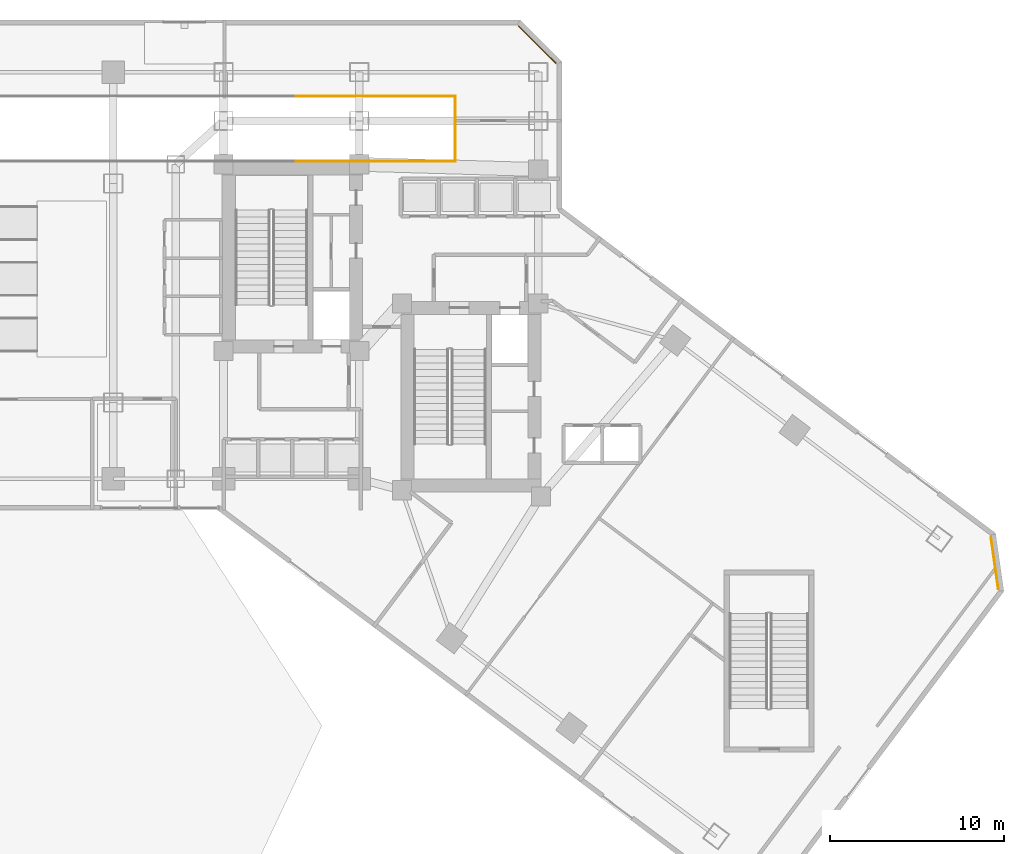
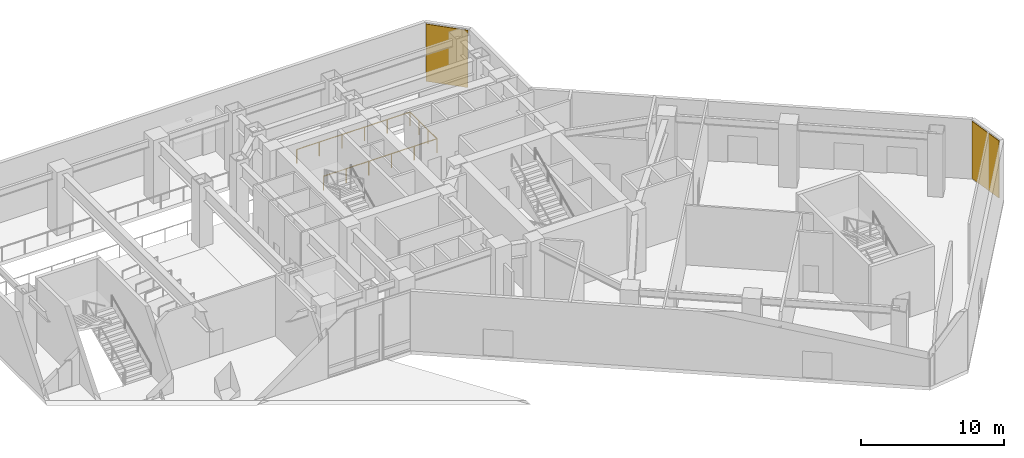
# One storey, part 12 of 13: 13 railings, 2 coverings.
"""IFC4 building model written with IfcOpenShell, lengths in metres."""

from ifc_helpers import new_model, si_unit, direction, frame, origin, origin_2d, place, context, subcontext, project, spatial, rectangle, circle, extrude, material, layer, layer_set, type_object, element, save


model = new_model("IFC4")

# Units and contexts
model_context = context("Model", 3, precision=1e-05, world=origin(), true_north=direction((0.0, 1.0)))
body_context = subcontext(model_context, "Body", "Model", "MODEL_VIEW")
ifc_project = project(units=[si_unit("LENGTHUNIT", "METRE"), si_unit("AREAUNIT", "SQUARE_METRE"), si_unit("VOLUMEUNIT", "CUBIC_METRE"), si_unit("PLANEANGLEUNIT", "RADIAN"), si_unit("MASSUNIT", "GRAM", prefix="KILO")], contexts=[model_context])

# Site, building, storey
site_placement = place(None, origin())
site = spatial("IfcSite", under=ifc_project, at=site_placement, CompositionType="ELEMENT")
building_placement = place(site_placement, origin())
building = spatial("IfcBuilding", under=site, at=building_placement, Name="Hatsunagi Terrace Concourse", CompositionType="ELEMENT")
storey_placement = place(building_placement, origin())
storey = spatial("IfcBuildingStorey", under=building, at=storey_placement, Name="L01", CompositionType="ELEMENT", Elevation=0.0)

# Railings
ifc_material_1 = material(Name="Stainless Steel SUS316 Post-and-Rail Guard", Category="steel")
ifc_layer_1 = layer(ifc_material_1, 0.080078125)
ifc_layer_set_1 = layer_set([ifc_layer_1], Name="TerracePlantedGuardRail_1200")
railing_type = type_object("IfcRailingType", Name="TerracePlantedGuardRail_1200", PredefinedType="GUARDRAIL", material=ifc_layer_set_1)
railing_1_placement = place(storey_placement, frame((29.72705078125, 43.469970703125, 0.0)))
element("IfcRailing", 1, at=railing_1_placement, inside=storey, type_object=railing_type, Name="L01 Car Park Ramp Well Guardrail GRD-02 #17", PredefinedType="GUARDRAIL", context=body_context, shape_type="SweptSolid", body=[
    extrude(circle(Radius=0.02392578125, at=origin_2d()), frame((0.0, 0.0, 1.17578125), z_axis=(1.0, 0.0, 0.0), x_axis=(0.0, 1.0, 0.0)), (0.0, 0.0, 1.0), 1.822998046875),
    extrude(circle(Radius=0.02099609375, at=origin_2d()), origin(), (0.0, 0.0, 1.0), 1.15185546875),
    extrude(circle(Radius=0.02099609375, at=origin_2d()), frame((1.822998046875, 0.0, 0.0)), (0.0, 0.0, 1.0), 1.15185546875),
])
railing_2_placement = place(storey_placement, frame((31.55810546875, 43.469970703125, 0.0)))
element("IfcRailing", 2, at=railing_2_placement, inside=storey, type_object=railing_type, Name="L01 Car Park Ramp Well Guardrail GRD-02 #18", PredefinedType="GUARDRAIL", context=body_context, shape_type="SweptSolid", body=[
    extrude(circle(Radius=0.02392578125, at=origin_2d()), frame((0.0, 0.0, 1.17578125), z_axis=(1.0, 0.0, 0.0), x_axis=(0.0, 1.0, 0.0)), (0.0, 0.0, 1.0), 1.823974609375),
    extrude(circle(Radius=0.02099609375, at=origin_2d()), origin(), (0.0, 0.0, 1.0), 1.15185546875),
    extrude(circle(Radius=0.02099609375, at=origin_2d()), frame((1.823974609375, 0.0, 0.0)), (0.0, 0.0, 1.0), 1.15185546875),
])
railing_3_placement = place(storey_placement, frame((33.389892578125, 43.469970703125, 0.0)))
element("IfcRailing", 3, at=railing_3_placement, inside=storey, type_object=railing_type, Name="L01 Car Park Ramp Well Guardrail GRD-02 #19", PredefinedType="GUARDRAIL", context=body_context, shape_type="SweptSolid", body=[
    extrude(circle(Radius=0.02392578125, at=origin_2d()), frame((0.0, 0.0, 1.17578125), z_axis=(1.0, 0.0, 0.0), x_axis=(0.0, 1.0, 0.0)), (0.0, 0.0, 1.0), 1.822998046875),
    extrude(circle(Radius=0.02099609375, at=origin_2d()), origin(), (0.0, 0.0, 1.0), 1.15185546875),
    extrude(circle(Radius=0.02099609375, at=origin_2d()), frame((1.822998046875, 0.0, 0.0)), (0.0, 0.0, 1.0), 1.15185546875),
])
railing_4_placement = place(storey_placement, frame((35.220947265625, 43.469970703125, 0.0)))
element("IfcRailing", 4, at=railing_4_placement, inside=storey, type_object=railing_type, Name="L01 Car Park Ramp Well Guardrail GRD-02 #20", PredefinedType="GUARDRAIL", context=body_context, shape_type="SweptSolid", body=[
    extrude(circle(Radius=0.02392578125, at=origin_2d()), frame((0.0, 0.0, 1.17578125), z_axis=(1.0, 0.0, 0.0), x_axis=(0.0, 1.0, 0.0)), (0.0, 0.0, 1.0), 1.823974609375),
    extrude(circle(Radius=0.02099609375, at=origin_2d()), origin(), (0.0, 0.0, 1.0), 1.15185546875),
    extrude(circle(Radius=0.02099609375, at=origin_2d()), frame((1.823974609375, 0.0, 0.0)), (0.0, 0.0, 1.0), 1.15185546875),
])
railing_5_placement = place(storey_placement, frame((37.052978515625, 43.469970703125, 0.0)))
element("IfcRailing", 5, at=railing_5_placement, inside=storey, type_object=railing_type, Name="L01 Car Park Ramp Well Guardrail GRD-02 #21", PredefinedType="GUARDRAIL", context=body_context, shape_type="SweptSolid", body=[
    extrude(circle(Radius=0.02392578125, at=origin_2d()), frame((0.0, 0.0, 1.17578125), z_axis=(1.0, 0.0, 0.0), x_axis=(0.0, 1.0, 0.0)), (0.0, 0.0, 1.0), 1.826904296875),
    extrude(circle(Radius=0.02099609375, at=origin_2d()), origin(), (0.0, 0.0, 1.0), 1.15185546875),
    extrude(circle(Radius=0.02099609375, at=origin_2d()), frame((1.826904296875, 0.0, 0.0)), (0.0, 0.0, 1.0), 1.15185546875),
])
railing_6_placement = place(storey_placement, frame((38.8798828125, 43.469970703125, 0.0)))
element("IfcRailing", 6, at=railing_6_placement, inside=storey, type_object=railing_type, Name="L01 Car Park Ramp Well Guardrail GRD-02 #22", PredefinedType="GUARDRAIL", context=body_context, shape_type="SweptSolid", body=[
    extrude(circle(Radius=0.02392578125, at=origin_2d()), frame((0.0, 0.0, 1.17578125), z_axis=(0.0, 1.0, 0.0), x_axis=(-1.0, 0.0, 0.0)), (0.0, 0.0, 1.0), 1.2490234375),
    extrude(circle(Radius=0.02099609375, at=origin_2d()), origin(), (0.0, 0.0, 1.0), 1.15185546875),
    extrude(circle(Radius=0.02099609375, at=origin_2d()), frame((0.0, 1.2490234375, 0.0)), (0.0, 0.0, 1.0), 1.15185546875),
])
railing_7_placement = place(storey_placement, frame((38.8798828125, 44.72705078125, 0.0)))
element("IfcRailing", 7, at=railing_7_placement, inside=storey, type_object=railing_type, Name="L01 Car Park Ramp Well Guardrail GRD-02 #23", PredefinedType="GUARDRAIL", context=body_context, shape_type="SweptSolid", body=[
    extrude(circle(Radius=0.02392578125, at=origin_2d()), frame((0.0, 0.0, 1.17578125), z_axis=(0.0, 1.0, 0.0), x_axis=(-1.0, 0.0, 0.0)), (0.0, 0.0, 1.0), 1.245849609375),
    extrude(circle(Radius=0.02099609375, at=origin_2d()), origin(), (0.0, 0.0, 1.0), 1.15185546875),
    extrude(circle(Radius=0.02099609375, at=origin_2d()), frame((0.0, 1.245849609375, 0.0)), (0.0, 0.0, 1.0), 1.15185546875),
])
railing_8_placement = place(storey_placement, frame((38.8798828125, 45.98095703125, 0.0)))
element("IfcRailing", 8, at=railing_8_placement, inside=storey, type_object=railing_type, Name="L01 Car Park Ramp Well Guardrail GRD-02 #24", PredefinedType="GUARDRAIL", context=body_context, shape_type="SweptSolid", body=[
    extrude(circle(Radius=0.02392578125, at=origin_2d()), frame((0.0, 0.0, 1.17578125), z_axis=(0.0, 1.0, 0.0), x_axis=(-1.0, 0.0, 0.0)), (0.0, 0.0, 1.0), 1.2490234375),
    extrude(circle(Radius=0.02099609375, at=origin_2d()), origin(), (0.0, 0.0, 1.0), 1.15185546875),
    extrude(circle(Radius=0.02099609375, at=origin_2d()), frame((0.0, 1.2490234375, 0.0)), (0.0, 0.0, 1.0), 1.15185546875),
])
railing_9_placement = place(storey_placement, frame((38.8798828125, 47.22998046875, 0.0)))
element("IfcRailing", 9, at=railing_9_placement, inside=storey, type_object=railing_type, Name="L01 Car Park Ramp Well Guardrail GRD-02 #25", PredefinedType="GUARDRAIL", context=body_context, shape_type="SweptSolid", body=[
    extrude(circle(Radius=0.02392578125, at=origin_2d()), frame((0.0, 0.0, 1.17578125), z_axis=(-1.0, 0.0, 0.0), x_axis=(0.0, -1.0, 0.0)), (0.0, 0.0, 1.0), 1.826904296875),
    extrude(circle(Radius=0.02099609375, at=origin_2d()), origin(), (0.0, 0.0, 1.0), 1.15185546875),
    extrude(circle(Radius=0.02099609375, at=origin_2d()), frame((-1.826904296875, 0.0, 0.0)), (0.0, 0.0, 1.0), 1.15185546875),
])
railing_10_placement = place(storey_placement, frame((37.044921875, 47.22998046875, 0.0)))
element("IfcRailing", 10, at=railing_10_placement, inside=storey, type_object=railing_type, Name="L01 Car Park Ramp Well Guardrail GRD-02 #26", PredefinedType="GUARDRAIL", context=body_context, shape_type="SweptSolid", body=[
    extrude(circle(Radius=0.02392578125, at=origin_2d()), frame((0.0, 0.0, 1.17578125), z_axis=(-1.0, 0.0, 0.0), x_axis=(0.0, -1.0, 0.0)), (0.0, 0.0, 1.0), 1.823974609375),
    extrude(circle(Radius=0.02099609375, at=origin_2d()), origin(), (0.0, 0.0, 1.0), 1.15185546875),
    extrude(circle(Radius=0.02099609375, at=origin_2d()), frame((-1.823974609375, 0.0, 0.0)), (0.0, 0.0, 1.0), 1.15185546875),
])
railing_11_placement = place(storey_placement, frame((35.212890625, 47.22998046875, 0.0)))
element("IfcRailing", 11, at=railing_11_placement, inside=storey, type_object=railing_type, Name="L01 Car Park Ramp Well Guardrail GRD-02 #27", PredefinedType="GUARDRAIL", context=body_context, shape_type="SweptSolid", body=[
    extrude(circle(Radius=0.02392578125, at=origin_2d()), frame((0.0, 0.0, 1.17578125), z_axis=(-1.0, 0.0, 0.0), x_axis=(0.0, -1.0, 0.0)), (0.0, 0.0, 1.0), 1.822998046875),
    extrude(circle(Radius=0.02099609375, at=origin_2d()), origin(), (0.0, 0.0, 1.0), 1.15185546875),
    extrude(circle(Radius=0.02099609375, at=origin_2d()), frame((-1.822998046875, 0.0, 0.0)), (0.0, 0.0, 1.0), 1.15185546875),
])
railing_12_placement = place(storey_placement, frame((33.382080078125, 47.22998046875, 0.0)))
element("IfcRailing", 12, at=railing_12_placement, inside=storey, type_object=railing_type, Name="L01 Car Park Ramp Well Guardrail GRD-02 #28", PredefinedType="GUARDRAIL", context=body_context, shape_type="SweptSolid", body=[
    extrude(circle(Radius=0.02392578125, at=origin_2d()), frame((0.0, 0.0, 1.17578125), z_axis=(-1.0, 0.0, 0.0), x_axis=(0.0, -1.0, 0.0)), (0.0, 0.0, 1.0), 1.823974609375),
    extrude(circle(Radius=0.02099609375, at=origin_2d()), origin(), (0.0, 0.0, 1.0), 1.15185546875),
    extrude(circle(Radius=0.02099609375, at=origin_2d()), frame((-1.823974609375, 0.0, 0.0)), (0.0, 0.0, 1.0), 1.15185546875),
])
railing_13_placement = place(storey_placement, frame((31.550048828125, 47.22998046875, 0.0)))
element("IfcRailing", 13, at=railing_13_placement, inside=storey, type_object=railing_type, Name="L01 Car Park Ramp Well Guardrail GRD-02 #29", PredefinedType="GUARDRAIL", context=body_context, shape_type="SweptSolid", body=[
    extrude(circle(Radius=0.02392578125, at=origin_2d()), frame((0.0, 0.0, 1.17578125), z_axis=(-1.0, 0.0, 0.0), x_axis=(0.0, -1.0, 0.0)), (0.0, 0.0, 1.0), 1.822998046875),
    extrude(circle(Radius=0.02099609375, at=origin_2d()), origin(), (0.0, 0.0, 1.0), 1.15185546875),
    extrude(circle(Radius=0.02099609375, at=origin_2d()), frame((-1.822998046875, 0.0, 0.0)), (0.0, 0.0, 1.0), 1.15185546875),
])

# Coverings
ifc_material_2 = material(Name="Unglazed Warm Terracotta Rainscreen Tile", Category="masonry")
ifc_layer_2 = layer(ifc_material_2, 0.044921875)
ifc_layer_set_2 = layer_set([ifc_layer_2], Name="TerracottaRainscreenCladding_45")
covering_type = type_object("IfcCoveringType", Name="TerracottaRainscreenCladding_45", PredefinedType="CLADDING", material=ifc_layer_set_2)
for number, where, z_axis, x_axis, name in (
    (14, (69.90087890625, 20.35791015625, 0.10009765625), (0.0, 0.0, 1.0), (0.141250262458, -0.989973920543, 0.0), "Terracotta Rainscreen Cladding L01-02"),
    (15, (43.5859375, 50.18603515625, 0.10009765625), (0.0, 0.0, 1.0), (0.707106781187, -0.707106781187, 0.0), "Terracotta Rainscreen Cladding L01-12"),
):
    element("IfcCovering", number, at=place(storey_placement, frame(where, z_axis=z_axis, x_axis=x_axis)), inside=storey, type_object=covering_type, Name=name, PredefinedType="CLADDING", context=body_context, shape_type="SweptSolid", body=[
        extrude(rectangle(XDim=3.0380859375, YDim=0.044921875, at=origin_2d()), origin(), (0.0, 0.0, 1.0), 4.89990234375),
    ])

save(model, "model.ifc")
